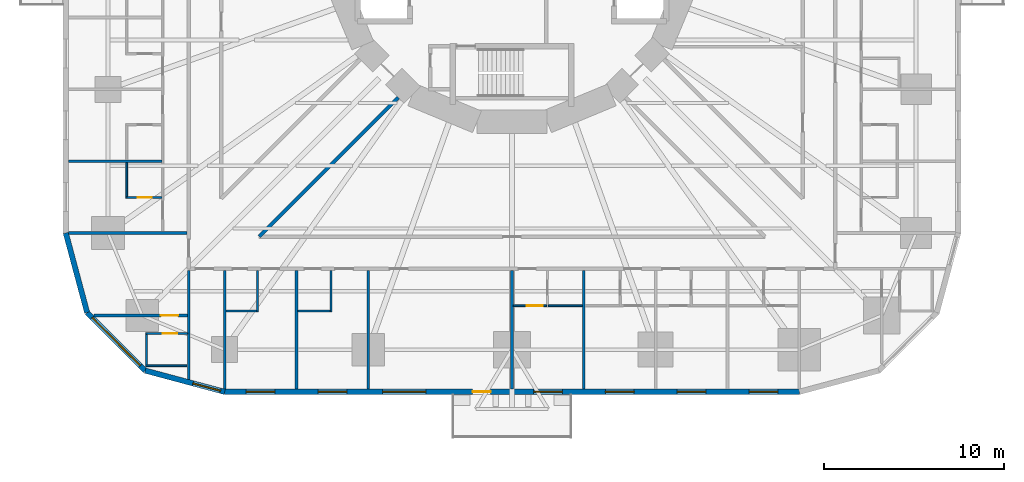
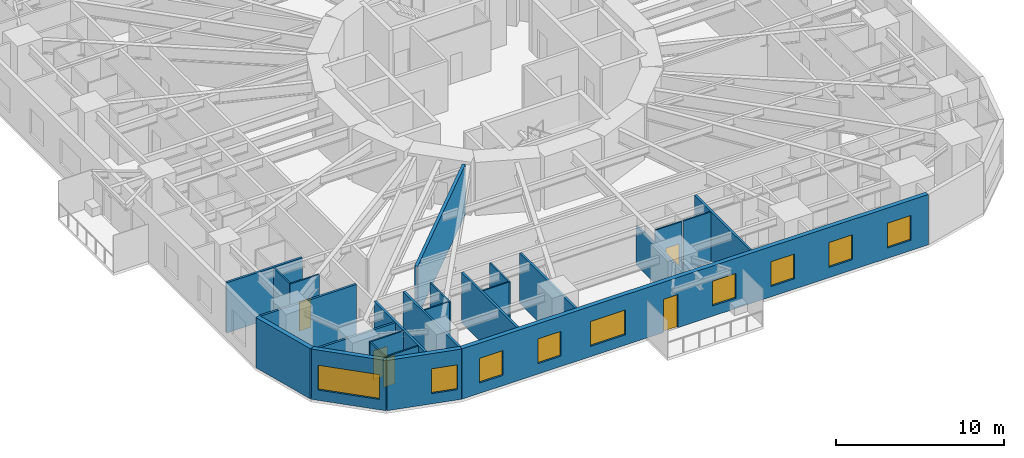
# One storey, part 4 of 14: 25 walls, 9 windows, 5 doors, 14 openings.
"""IFC4 building model written with IfcOpenShell, lengths in metres."""

from ifc_helpers import new_model, si_unit, direction, frame, frame_2d, origin, place, context, subcontext, project, spatial, rectangle, extrude, material, layer, layer_set, type_object, element, fill, save


model = new_model("IFC4")

# Units and contexts
model_context = context("Model", 3, precision=1e-05, world=origin(), true_north=direction((0.0, 1.0)))
body_context = subcontext(model_context, "Body", "Model", "MODEL_VIEW")
ifc_project = project(units=[si_unit("LENGTHUNIT", "METRE"), si_unit("AREAUNIT", "SQUARE_METRE"), si_unit("VOLUMEUNIT", "CUBIC_METRE"), si_unit("PLANEANGLEUNIT", "RADIAN"), si_unit("MASSUNIT", "GRAM", prefix="KILO")], contexts=[model_context])

# Site, building, storey
site_placement = place(None, origin())
site = spatial("IfcSite", under=ifc_project, at=site_placement, CompositionType="ELEMENT")
building_placement = place(site_placement, origin())
building = spatial("IfcBuilding", under=site, at=building_placement, Name="Nakasero Lantern House", CompositionType="ELEMENT")
storey_placement = place(building_placement, frame((0.0, 0.0, 35.25)))
storey = spatial("IfcBuildingStorey", under=building, at=storey_placement, Name="L08", CompositionType="ELEMENT", Elevation=35.25)

# Wall
ifc_material_1 = material(Name="Blockwork", Category="masonry")
ifc_layer_1 = layer(ifc_material_1, 0.199951171875)
ifc_layer_set_1 = layer_set([ifc_layer_1], Name="Corridor wall 200")
wall_type_1 = type_object("IfcWallType", Name="Corridor wall 200", PredefinedType="PARTITIONING", material=ifc_layer_set_1)
wall_1_placement = place(storey_placement, frame((-6.334228515625, -8.45556640625, 0.0), z_axis=(0.0, 0.0, 1.0), x_axis=(-0.707106781187, -0.707106781187, 0.0)))
element("IfcWall", 1, at=wall_1_placement, inside=storey, type_object=wall_type_1, Name="Corridor wall L08 PS10a", PredefinedType="PARTITIONING", context=body_context, shape_type="SweptSolid", body=[
    extrude(rectangle(XDim=10.9521484375, YDim=0.199951171875, at=frame_2d((5.47607421875, 0.0))), origin(), (0.0, 0.0, 1.0), 3.64990234375),
])

# Wall, opening, door
ifc_material_2 = material(Name="Blockwork", Category="masonry")
ifc_layer_2 = layer(ifc_material_2, 0.10009765625)
ifc_layer_set_2 = layer_set([ifc_layer_2], Name="En-suite wall 100")
wall_type_2 = type_object("IfcWallType", Name="En-suite wall 100", PredefinedType="PARTITIONING", material=ifc_layer_set_2)
wall_2_placement = place(storey_placement, frame((-19.5, -14.02490234375, 0.0), z_axis=(0.0, 0.0, 1.0), x_axis=(-1.0, 0.0, 0.0)))
wall_2 = element("IfcWall", 2, at=wall_2_placement, inside=storey, type_object=wall_type_2, Name="En-suite wall L08 ES2-08", PredefinedType="PARTITIONING", context=body_context, shape_type="SweptSolid", body=[
    extrude(rectangle(XDim=2.0, YDim=0.10009765625, at=frame_2d((1.0, 0.0))), origin(), (0.0, 0.0, 1.0), 3.64990234375),
])
opening_1_placement = place(wall_2_placement, frame((0.550048828125, 0.0, 0.0)))
opening_1 = element("IfcOpeningElement", 3, at=opening_1_placement, cuts=wall_2, Name="Opening D02", PredefinedType="OPENING", context=body_context, shape_type="SweptSolid", body=[
    extrude(rectangle(XDim=0.800048828125, YDim=2.10009765625, at=frame_2d((0.39990234375, 1.050048828125))), frame((0.0, 0.070068359375, 0.0), z_axis=(0.0, -1.0, 0.0), x_axis=(1.0, 0.0, 0.0)), (0.0, 0.0, 1.0), 0.14013671875),
])
ifc_material_3 = material(Name="Timber C24", Category="wood")
door_type_1 = type_object("IfcDoorType", Name="En-suite door 800", OperationType="SINGLE_SWING_RIGHT", PredefinedType="DOOR", material=ifc_material_3)
door_1_placement = place(opening_1_placement, origin())
door_1 = element("IfcDoor", 4, at=door_1_placement, inside=storey, type_object=door_type_1, Name="Door L08 DE2-08", OperationType="SINGLE_SWING_LEFT", OverallHeight=2.10009765625, OverallWidth=0.800048828125, PredefinedType="DOOR", context=body_context, shape_type="SweptSolid", body=[
    extrude(rectangle(XDim=0.800048828125, YDim=2.10009765625, at=frame_2d((0.39990234375, 1.050048828125))), frame((0.0, 0.02490234375, 0.0), z_axis=(0.0, -1.0, 0.0), x_axis=(1.0, 0.0, 0.0)), (0.0, 0.0, 1.0), 0.050048828125),
])
fill(opening_1, door_1)

# Wall
wall_3_placement = place(storey_placement, frame((-21.449951171875, -12.074951171875, 0.0), z_axis=(0.0, 0.0, 1.0), x_axis=(0.0, -1.0, 0.0)))
element("IfcWall", 5, at=wall_3_placement, inside=storey, type_object=wall_type_2, Name="En-suite wall L08 EE2-08", PredefinedType="PARTITIONING", context=body_context, shape_type="SweptSolid", body=[
    extrude(rectangle(XDim=1.900146484375, YDim=0.10009765625, at=frame_2d((0.9501953125, 0.0))), origin(), (0.0, 0.0, 1.0), 3.64990234375),
])

# Wall, opening, door
wall_4_placement = place(storey_placement, frame((-18.06494140625, -21.59619140625, 0.0), z_axis=(0.0, 0.0, 1.0), x_axis=(-1.0, 0.0, 0.0)))
wall_4 = element("IfcWall", 6, at=wall_4_placement, inside=storey, type_object=wall_type_2, Name="En-suite wall L08 ES2-09", PredefinedType="PARTITIONING", context=body_context, shape_type="SweptSolid", body=[
    extrude(rectangle(XDim=2.3349609375, YDim=0.10009765625, at=frame_2d((1.16748046875, 0.0))), origin(), (0.0, 0.0, 1.0), 3.64990234375),
])
opening_2_placement = place(wall_4_placement, frame((0.5849609375, 0.0, 0.0)))
opening_2 = element("IfcOpeningElement", 7, at=opening_2_placement, cuts=wall_4, Name="Opening D02", PredefinedType="OPENING", context=body_context, shape_type="SweptSolid", body=[
    extrude(rectangle(XDim=0.800048828125, YDim=2.10009765625, at=frame_2d((0.39990234375, 1.050048828125))), frame((0.0, 0.070068359375, 0.0), z_axis=(0.0, -1.0, 0.0), x_axis=(1.0, 0.0, 0.0)), (0.0, 0.0, 1.0), 0.14013671875),
])
door_2_placement = place(opening_2_placement, origin())
door_2 = element("IfcDoor", 8, at=door_2_placement, inside=storey, type_object=door_type_1, Name="Door L08 DE2-09", OperationType="SINGLE_SWING_LEFT", OverallHeight=2.10009765625, OverallWidth=0.800048828125, PredefinedType="DOOR", context=body_context, shape_type="SweptSolid", body=[
    extrude(rectangle(XDim=0.800048828125, YDim=2.10009765625, at=frame_2d((0.39990234375, 1.050048828125))), frame((0.0, 0.02490234375, 0.0), z_axis=(0.0, -1.0, 0.0), x_axis=(1.0, 0.0, 0.0)), (0.0, 0.0, 1.0), 0.050048828125),
])
fill(opening_2, door_2)

# Walls
wall_5_placement = place(storey_placement, frame((-20.35009765625, -21.646240234375, 0.0), z_axis=(0.0, 0.0, 1.0), x_axis=(0.0, -1.0, 0.0)))
element("IfcWall", 9, at=wall_5_placement, inside=storey, type_object=wall_type_2, Name="En-suite wall L08 EE2-09", PredefinedType="PARTITIONING", context=body_context, shape_type="SweptSolid", body=[
    extrude(rectangle(XDim=1.699951171875, YDim=0.10009765625, at=frame_2d((0.85009765625, 0.0))), origin(), (0.0, 0.0, 1.0), 3.64990234375),
])
for number, where, z_axis, x_axis, name in (
    (10, (-18.10009765625, -23.396240234375, 0.0), (0.0, 0.0, 1.0), (-1.0, 0.0, 0.0), "En-suite wall L08 EV2-09"),
    (11, (-14.175048828125, -18.10009765625, 0.0), (0.0, 0.0, 1.0), (0.0, -1.0, 0.0), "En-suite wall L08 ES3-01"),
):
    element("IfcWall", number, at=place(storey_placement, frame(where, z_axis=z_axis, x_axis=x_axis)), inside=storey, type_object=wall_type_2, Name=name, PredefinedType="PARTITIONING", context=body_context, shape_type="SweptSolid", body=[
        extrude(rectangle(XDim=2.2998046875, YDim=0.10009765625, at=frame_2d((1.14990234375, 0.0))), origin(), (0.0, 0.0, 1.0), 3.64990234375),
    ])
wall_6_placement = place(storey_placement, frame((-15.925048828125, -20.35009765625, 0.0), z_axis=(0.0, 0.0, 1.0), x_axis=(1.0, 0.0, 0.0)))
element("IfcWall", 12, at=wall_6_placement, inside=storey, type_object=wall_type_2, Name="En-suite wall L08 EE3-01", PredefinedType="PARTITIONING", context=body_context, shape_type="SweptSolid", body=[
    extrude(rectangle(XDim=1.699951171875, YDim=0.10009765625, at=frame_2d((0.85009765625, 0.0))), origin(), (0.0, 0.0, 1.0), 3.64990234375),
])
wall_7_placement = place(storey_placement, frame((-10.074951171875, -18.10009765625, 0.0), z_axis=(0.0, 0.0, 1.0), x_axis=(0.0, -1.0, 0.0)))
element("IfcWall", 13, at=wall_7_placement, inside=storey, type_object=wall_type_2, Name="En-suite wall L08 ES3-02", PredefinedType="PARTITIONING", context=body_context, shape_type="SweptSolid", body=[
    extrude(rectangle(XDim=2.2998046875, YDim=0.10009765625, at=frame_2d((1.14990234375, 0.0))), origin(), (0.0, 0.0, 1.0), 3.64990234375),
])
wall_8_placement = place(storey_placement, frame((-11.925048828125, -20.35009765625, 0.0), z_axis=(0.0, 0.0, 1.0), x_axis=(1.0, 0.0, 0.0)))
element("IfcWall", 14, at=wall_8_placement, inside=storey, type_object=wall_type_2, Name="En-suite wall L08 EE3-02", PredefinedType="PARTITIONING", context=body_context, shape_type="SweptSolid", body=[
    extrude(rectangle(XDim=1.800048828125, YDim=0.10009765625, at=frame_2d((0.89990234375, 0.0))), origin(), (0.0, 0.0, 1.0), 3.64990234375),
])
wall_9_placement = place(storey_placement, frame((2.02490234375, -20.050048828125, 0.0), z_axis=(0.0, 0.0, 1.0), x_axis=(1.0, 0.0, 0.0)))
element("IfcWall", 15, at=wall_9_placement, inside=storey, type_object=wall_type_2, Name="En-suite wall L08 EE3-05", PredefinedType="PARTITIONING", context=body_context, shape_type="SweptSolid", body=[
    extrude(rectangle(XDim=1.900146484375, YDim=0.10009765625, at=frame_2d((0.9501953125, 0.0))), origin(), (0.0, 0.0, 1.0), 3.64990234375),
])

# Wall, opening, door
wall_10_placement = place(storey_placement, frame((0.074951171875, -20.050048828125, 0.0), z_axis=(0.0, 0.0, 1.0), x_axis=(1.0, 0.0, 0.0)))
wall_10 = element("IfcWall", 16, at=wall_10_placement, inside=storey, type_object=wall_type_2, Name="En-suite wall L08 EL3-05", PredefinedType="PARTITIONING", context=body_context, shape_type="SweptSolid", body=[
    extrude(rectangle(XDim=1.85009765625, YDim=0.10009765625, at=frame_2d((0.925048828125, 0.0))), origin(), (0.0, 0.0, 1.0), 3.64990234375),
])
opening_3_placement = place(wall_10_placement, frame((0.75, 0.0, 0.0)))
opening_3 = element("IfcOpeningElement", 17, at=opening_3_placement, cuts=wall_10, Name="Opening D17", PredefinedType="OPENING", context=body_context, shape_type="SweptSolid", body=[
    extrude(rectangle(XDim=0.89990234375, YDim=2.10009765625, at=frame_2d((0.449951171875, 1.050048828125))), frame((0.0, 0.070068359375, 0.0), z_axis=(0.0, -1.0, 0.0), x_axis=(1.0, 0.0, 0.0)), (0.0, 0.0, 1.0), 0.14013671875),
])
ifc_material_4 = material(Name="Timber C24", Category="wood")
door_type_2 = type_object("IfcDoorType", Name="Bedroom door FD30S 900", OperationType="SINGLE_SWING_LEFT", PredefinedType="DOOR", material=ifc_material_4)
door_3_placement = place(opening_3_placement, origin())
door_3 = element("IfcDoor", 18, at=door_3_placement, inside=storey, type_object=door_type_2, Name="Door L08 DL3-05", OperationType="SINGLE_SWING_RIGHT", OverallHeight=2.10009765625, OverallWidth=0.89990234375, PredefinedType="DOOR", context=body_context, shape_type="SweptSolid", body=[
    extrude(rectangle(XDim=0.89990234375, YDim=2.10009765625, at=frame_2d((0.449951171875, 1.050048828125))), frame((0.0, 0.02490234375, 0.0), z_axis=(0.0, -1.0, 0.0), x_axis=(1.0, 0.0, 0.0)), (0.0, 0.0, 1.0), 0.050048828125),
])
fill(opening_3, door_3)

# Wall
ifc_material_5 = material(Name="Aluminium rainscreen on blockwork", Category="masonry")
ifc_layer_3 = layer(ifc_material_5, 0.300048828125)
ifc_layer_set_3 = layer_set([ifc_layer_3], Name="Facade wall 300")
wall_type_3 = type_object("IfcWallType", Name="Facade wall 300", PredefinedType="SOLIDWALL", material=ifc_layer_set_3)
wall_11_placement = place(storey_placement, frame((-24.85009765625, -16.0, 0.0), z_axis=(0.0, 0.0, 1.0), x_axis=(0.258839972501, -0.965920218567, 0.0)))
element("IfcWall", 19, at=wall_11_placement, inside=storey, type_object=wall_type_3, Name="Facade wall L08 FW2C1", PredefinedType="SOLIDWALL", context=body_context, shape_type="SweptSolid", body=[
    extrude(rectangle(XDim=4.5810546875, YDim=0.300048828125, at=frame_2d((2.29052734375, 0.0))), origin(), (0.0, 0.0, 1.0), 3.64990234375),
])

# Wall, opening, window
wall_12_placement = place(storey_placement, frame((-23.664306640625, -20.425048828125, 0.0), z_axis=(0.0, 0.0, 1.0), x_axis=(0.707106781187, -0.707106781187, 0.0)))
wall_12 = element("IfcWall", 20, at=wall_12_placement, inside=storey, type_object=wall_type_3, Name="Facade wall L08 FW2C2", PredefinedType="SOLIDWALL", context=body_context, shape_type="SweptSolid", body=[
    extrude(rectangle(XDim=4.5810546875, YDim=0.300048828125, at=frame_2d((2.29052734375, 0.0))), origin(), (0.0, 0.0, 1.0), 3.64990234375),
])
opening_4_placement = place(wall_12_placement, frame((0.39990234375, 0.0, 0.75)))
opening_4 = element("IfcOpeningElement", 21, at=opening_4_placement, cuts=wall_12, Name="Opening W237", PredefinedType="OPENING", context=body_context, shape_type="SweptSolid", body=[
    extrude(rectangle(XDim=3.781005859375, YDim=1.800048828125, at=frame_2d((1.890625, 0.89990234375))), frame((0.0, 0.169921875, 0.0), z_axis=(0.0, -1.0, 0.0), x_axis=(1.0, 0.0, 0.0)), (0.0, 0.0, 1.0), 0.340087890625),
])
ifc_material_6 = material(Name="Aluminium 6063-T6 and glass", Category="aluminium")
window_type_1 = type_object("IfcWindowType", Name="Corner window 3781x1800", PartitioningType="SINGLE_PANEL", PredefinedType="WINDOW", material=ifc_material_6)
window_1_placement = place(opening_4_placement, origin())
window_1 = element("IfcWindow", 22, at=window_1_placement, inside=storey, type_object=window_type_1, Name="Window L08 WC2", OverallHeight=1.800048828125, OverallWidth=3.781005859375, PartitioningType="SINGLE_PANEL", PredefinedType="WINDOW", context=body_context, shape_type="SweptSolid", body=[
    extrude(rectangle(XDim=3.781005859375, YDim=1.800048828125, at=frame_2d((1.890625, 0.89990234375))), frame((0.0, 0.030029296875, 0.0), z_axis=(0.0, -1.0, 0.0), x_axis=(1.0, 0.0, 0.0)), (0.0, 0.0, 1.0), 0.06005859375),
])
fill(opening_4, window_1)

wall_13_placement = place(storey_placement, frame((-20.425048828125, -23.664306640625, 0.0), z_axis=(0.0, 0.0, 1.0), x_axis=(0.965920218567, -0.258839972501, 0.0)))
wall_13 = element("IfcWall", 23, at=wall_13_placement, inside=storey, type_object=wall_type_3, Name="Facade wall L08 FW2C3", PredefinedType="SOLIDWALL", context=body_context, shape_type="SweptSolid", body=[
    extrude(rectangle(XDim=4.5810546875, YDim=0.300048828125, at=frame_2d((2.29052734375, 0.0))), origin(), (0.0, 0.0, 1.0), 3.64990234375),
])
opening_5_placement = place(wall_13_placement, frame((2.74609375, 0.0, 0.75)))
opening_5 = element("IfcOpeningElement", 24, at=opening_5_placement, cuts=wall_13, Name="Opening W01", PredefinedType="OPENING", context=body_context, shape_type="SweptSolid", body=[
    extrude(rectangle(XDim=1.60009765625, YDim=1.800048828125, at=frame_2d((0.800048828125, 0.89990234375))), frame((0.0, 0.169921875, 0.0), z_axis=(0.0, -1.0, 0.0), x_axis=(1.0, 0.0, 0.0)), (0.0, 0.0, 1.0), 0.340087890625),
])
ifc_material_7 = material(Name="Aluminium 6063-T6 and glass", Category="aluminium")
window_type_2 = type_object("IfcWindowType", Name="Bedroom window 1600x1800", PartitioningType="SINGLE_PANEL", PredefinedType="WINDOW", material=ifc_material_7)
window_2_placement = place(opening_5_placement, origin())
window_2 = element("IfcWindow", 25, at=window_2_placement, inside=storey, type_object=window_type_2, Name="Window L08 WN3-00", OverallHeight=1.800048828125, OverallWidth=1.60009765625, PartitioningType="SINGLE_PANEL", PredefinedType="WINDOW", context=body_context, shape_type="SweptSolid", body=[
    extrude(rectangle(XDim=1.60009765625, YDim=1.800048828125, at=frame_2d((0.800048828125, 0.89990234375))), frame((0.0, 0.030029296875, 0.0), z_axis=(0.0, -1.0, 0.0), x_axis=(1.0, 0.0, 0.0)), (0.0, 0.0, 1.0), 0.06005859375),
])
fill(opening_5, window_2)

# Wall, openings, door, windows
wall_14_placement = place(storey_placement, frame((-16.0, -24.85009765625, 0.0), z_axis=(0.0, 0.0, 1.0), x_axis=(1.0, 0.0, 0.0)))
wall_14 = element("IfcWall", 26, at=wall_14_placement, inside=storey, type_object=wall_type_3, Name="Facade wall L08 FW3S", PredefinedType="SOLIDWALL", context=body_context, shape_type="SweptSolid", body=[
    extrude(rectangle(XDim=32.0, YDim=0.300048828125, at=frame_2d((16.0, 0.0))), origin(), (0.0, 0.0, 1.0), 3.64990234375),
])
opening_6_placement = place(wall_14_placement, frame((1.199951171875, 0.0, 0.75)))
opening_6 = element("IfcOpeningElement", 27, at=opening_6_placement, cuts=wall_14, Name="Opening W01", PredefinedType="OPENING", context=body_context, shape_type="SweptSolid", body=[
    extrude(rectangle(XDim=1.60009765625, YDim=1.800048828125, at=frame_2d((0.800048828125, 0.89990234375))), frame((0.0, 0.169921875, 0.0), z_axis=(0.0, -1.0, 0.0), x_axis=(1.0, 0.0, 0.0)), (0.0, 0.0, 1.0), 0.340087890625),
])
opening_7_placement = place(wall_14_placement, frame((5.199951171875, 0.0, 0.75)))
opening_7 = element("IfcOpeningElement", 28, at=opening_7_placement, cuts=wall_14, Name="Opening W01", PredefinedType="OPENING", context=body_context, shape_type="SweptSolid", body=[
    extrude(rectangle(XDim=1.60009765625, YDim=1.800048828125, at=frame_2d((0.800048828125, 0.89990234375))), frame((0.0, 0.169921875, 0.0), z_axis=(0.0, -1.0, 0.0), x_axis=(1.0, 0.0, 0.0)), (0.0, 0.0, 1.0), 0.340087890625),
])
opening_8_placement = place(wall_14_placement, frame((17.199951171875, 0.0, 0.75)))
opening_8 = element("IfcOpeningElement", 29, at=opening_8_placement, cuts=wall_14, Name="Opening W01", PredefinedType="OPENING", context=body_context, shape_type="SweptSolid", body=[
    extrude(rectangle(XDim=1.60009765625, YDim=1.800048828125, at=frame_2d((0.800048828125, 0.89990234375))), frame((0.0, 0.169921875, 0.0), z_axis=(0.0, -1.0, 0.0), x_axis=(1.0, 0.0, 0.0)), (0.0, 0.0, 1.0), 0.340087890625),
])
opening_9_placement = place(wall_14_placement, frame((21.199951171875, 0.0, 0.75)))
opening_9 = element("IfcOpeningElement", 30, at=opening_9_placement, cuts=wall_14, Name="Opening W01", PredefinedType="OPENING", context=body_context, shape_type="SweptSolid", body=[
    extrude(rectangle(XDim=1.60009765625, YDim=1.800048828125, at=frame_2d((0.800048828125, 0.89990234375))), frame((0.0, 0.169921875, 0.0), z_axis=(0.0, -1.0, 0.0), x_axis=(1.0, 0.0, 0.0)), (0.0, 0.0, 1.0), 0.340087890625),
])
opening_10_placement = place(wall_14_placement, frame((25.199951171875, 0.0, 0.75)))
opening_10 = element("IfcOpeningElement", 31, at=opening_10_placement, cuts=wall_14, Name="Opening W01", PredefinedType="OPENING", context=body_context, shape_type="SweptSolid", body=[
    extrude(rectangle(XDim=1.60009765625, YDim=1.800048828125, at=frame_2d((0.800048828125, 0.89990234375))), frame((0.0, 0.169921875, 0.0), z_axis=(0.0, -1.0, 0.0), x_axis=(1.0, 0.0, 0.0)), (0.0, 0.0, 1.0), 0.340087890625),
])
opening_11_placement = place(wall_14_placement, frame((29.199951171875, 0.0, 0.75)))
opening_11 = element("IfcOpeningElement", 32, at=opening_11_placement, cuts=wall_14, Name="Opening W01", PredefinedType="OPENING", context=body_context, shape_type="SweptSolid", body=[
    extrude(rectangle(XDim=1.60009765625, YDim=1.800048828125, at=frame_2d((0.800048828125, 0.89990234375))), frame((0.0, 0.169921875, 0.0), z_axis=(0.0, -1.0, 0.0), x_axis=(1.0, 0.0, 0.0)), (0.0, 0.0, 1.0), 0.340087890625),
])
opening_12_placement = place(wall_14_placement, frame((8.800048828125, 0.0, 0.75)))
opening_12 = element("IfcOpeningElement", 33, at=opening_12_placement, cuts=wall_14, Name="Opening W03", PredefinedType="OPENING", context=body_context, shape_type="SweptSolid", body=[
    extrude(rectangle(XDim=2.39990234375, YDim=1.800048828125, at=frame_2d((1.199951171875, 0.89990234375))), frame((0.0, 0.169921875, 0.0), z_axis=(0.0, -1.0, 0.0), x_axis=(1.0, 0.0, 0.0)), (0.0, 0.0, 1.0), 0.340087890625),
])
opening_13_placement = place(wall_14_placement, frame((13.8125, 0.0, 0.0)))
opening_13 = element("IfcOpeningElement", 34, at=opening_13_placement, cuts=wall_14, Name="Opening D04", PredefinedType="OPENING", context=body_context, shape_type="SweptSolid", body=[
    extrude(rectangle(XDim=1.0, YDim=2.39990234375, at=frame_2d((0.5, 1.199951171875))), frame((0.0, 0.169921875, 0.0), z_axis=(0.0, -1.0, 0.0), x_axis=(1.0, 0.0, 0.0)), (0.0, 0.0, 1.0), 0.340087890625),
])
ifc_material_8 = material(Name="Aluminium 6063-T6 and glass", Category="aluminium")
door_type_3 = type_object("IfcDoorType", Name="Balcony door 1000x2400", OperationType="SINGLE_SWING_RIGHT", PredefinedType="DOOR", material=ifc_material_8)
door_4_placement = place(opening_13_placement, origin())
door_4 = element("IfcDoor", 35, at=door_4_placement, inside=storey, type_object=door_type_3, Name="Balcony door L08 DB3", OperationType="SINGLE_SWING_RIGHT", OverallHeight=2.39990234375, OverallWidth=1.0, PredefinedType="DOOR", context=body_context, shape_type="SweptSolid", body=[
    extrude(rectangle(XDim=1.0, YDim=2.39990234375, at=frame_2d((0.5, 1.199951171875))), frame((0.0, 0.02490234375, 0.0), z_axis=(0.0, -1.0, 0.0), x_axis=(1.0, 0.0, 0.0)), (0.0, 0.0, 1.0), 0.050048828125),
])
fill(opening_13, door_4)
window_3_placement = place(opening_6_placement, origin())
window_3 = element("IfcWindow", 36, at=window_3_placement, inside=storey, type_object=window_type_2, Name="Window L08 WN3-01", OverallHeight=1.800048828125, OverallWidth=1.60009765625, PartitioningType="SINGLE_PANEL", PredefinedType="WINDOW", context=body_context, shape_type="SweptSolid", body=[
    extrude(rectangle(XDim=1.60009765625, YDim=1.800048828125, at=frame_2d((0.800048828125, 0.89990234375))), frame((0.0, 0.030029296875, 0.0), z_axis=(0.0, -1.0, 0.0), x_axis=(1.0, 0.0, 0.0)), (0.0, 0.0, 1.0), 0.06005859375),
])
fill(opening_6, window_3)
window_4_placement = place(opening_7_placement, origin())
window_4 = element("IfcWindow", 37, at=window_4_placement, inside=storey, type_object=window_type_2, Name="Window L08 WN3-02", OverallHeight=1.800048828125, OverallWidth=1.60009765625, PartitioningType="SINGLE_PANEL", PredefinedType="WINDOW", context=body_context, shape_type="SweptSolid", body=[
    extrude(rectangle(XDim=1.60009765625, YDim=1.800048828125, at=frame_2d((0.800048828125, 0.89990234375))), frame((0.0, 0.030029296875, 0.0), z_axis=(0.0, -1.0, 0.0), x_axis=(1.0, 0.0, 0.0)), (0.0, 0.0, 1.0), 0.06005859375),
])
fill(opening_7, window_4)
window_5_placement = place(opening_8_placement, origin())
window_5 = element("IfcWindow", 38, at=window_5_placement, inside=storey, type_object=window_type_2, Name="Window L08 WN3-05", OverallHeight=1.800048828125, OverallWidth=1.60009765625, PartitioningType="SINGLE_PANEL", PredefinedType="WINDOW", context=body_context, shape_type="SweptSolid", body=[
    extrude(rectangle(XDim=1.60009765625, YDim=1.800048828125, at=frame_2d((0.800048828125, 0.89990234375))), frame((0.0, 0.030029296875, 0.0), z_axis=(0.0, -1.0, 0.0), x_axis=(1.0, 0.0, 0.0)), (0.0, 0.0, 1.0), 0.06005859375),
])
fill(opening_8, window_5)
window_6_placement = place(opening_9_placement, origin())
window_6 = element("IfcWindow", 39, at=window_6_placement, inside=storey, type_object=window_type_2, Name="Window L08 WN3-06", OverallHeight=1.800048828125, OverallWidth=1.60009765625, PartitioningType="SINGLE_PANEL", PredefinedType="WINDOW", context=body_context, shape_type="SweptSolid", body=[
    extrude(rectangle(XDim=1.60009765625, YDim=1.800048828125, at=frame_2d((0.800048828125, 0.89990234375))), frame((0.0, 0.030029296875, 0.0), z_axis=(0.0, -1.0, 0.0), x_axis=(1.0, 0.0, 0.0)), (0.0, 0.0, 1.0), 0.06005859375),
])
fill(opening_9, window_6)
window_7_placement = place(opening_10_placement, origin())
window_7 = element("IfcWindow", 40, at=window_7_placement, inside=storey, type_object=window_type_2, Name="Window L08 WN3-07", OverallHeight=1.800048828125, OverallWidth=1.60009765625, PartitioningType="SINGLE_PANEL", PredefinedType="WINDOW", context=body_context, shape_type="SweptSolid", body=[
    extrude(rectangle(XDim=1.60009765625, YDim=1.800048828125, at=frame_2d((0.800048828125, 0.89990234375))), frame((0.0, 0.030029296875, 0.0), z_axis=(0.0, -1.0, 0.0), x_axis=(1.0, 0.0, 0.0)), (0.0, 0.0, 1.0), 0.06005859375),
])
fill(opening_10, window_7)
window_8_placement = place(opening_11_placement, origin())
window_8 = element("IfcWindow", 41, at=window_8_placement, inside=storey, type_object=window_type_2, Name="Window L08 WN3-08", OverallHeight=1.800048828125, OverallWidth=1.60009765625, PartitioningType="SINGLE_PANEL", PredefinedType="WINDOW", context=body_context, shape_type="SweptSolid", body=[
    extrude(rectangle(XDim=1.60009765625, YDim=1.800048828125, at=frame_2d((0.800048828125, 0.89990234375))), frame((0.0, 0.030029296875, 0.0), z_axis=(0.0, -1.0, 0.0), x_axis=(1.0, 0.0, 0.0)), (0.0, 0.0, 1.0), 0.06005859375),
])
fill(opening_11, window_8)
ifc_material_9 = material(Name="Aluminium 6063-T6 and glass", Category="aluminium")
window_type_3 = type_object("IfcWindowType", Name="Lounge window 2400x1800", PartitioningType="SINGLE_PANEL", PredefinedType="WINDOW", material=ifc_material_9)
window_9_placement = place(opening_12_placement, origin())
window_9 = element("IfcWindow", 42, at=window_9_placement, inside=storey, type_object=window_type_3, Name="Window L08 WK3", OverallHeight=1.800048828125, OverallWidth=2.39990234375, PartitioningType="SINGLE_PANEL", PredefinedType="WINDOW", context=body_context, shape_type="SweptSolid", body=[
    extrude(rectangle(XDim=2.39990234375, YDim=1.800048828125, at=frame_2d((1.199951171875, 0.89990234375))), frame((0.0, 0.030029296875, 0.0), z_axis=(0.0, -1.0, 0.0), x_axis=(1.0, 0.0, 0.0)), (0.0, 0.0, 1.0), 0.06005859375),
])
fill(opening_12, window_9)

# Walls
ifc_material_10 = material(Name="Blockwork", Category="masonry")
ifc_layer_4 = layer(ifc_material_10, 0.14990234375)
ifc_layer_set_4 = layer_set([ifc_layer_4], Name="Party wall 150")
wall_type_4 = type_object("IfcWallType", Name="Party wall 150", PredefinedType="PARTITIONING", material=ifc_layer_set_4)
wall_15_placement = place(storey_placement, frame((-19.5, -12.0, 0.0), z_axis=(0.0, 0.0, 1.0), x_axis=(-1.0, 0.0, 0.0)))
element("IfcWall", 43, at=wall_15_placement, inside=storey, type_object=wall_type_4, Name="Party wall L08 PW2-08", PredefinedType="PARTITIONING", context=body_context, shape_type="SweptSolid", body=[
    extrude(rectangle(XDim=5.199951171875, YDim=0.14990234375, at=frame_2d((2.60009765625, 0.0))), origin(), (0.0, 0.0, 1.0), 3.64990234375),
])
wall_16_placement = place(storey_placement, frame((-18.10009765625, -16.0, 0.0), z_axis=(0.0, 0.0, 1.0), x_axis=(-1.0, 0.0, 0.0)))
element("IfcWall", 44, at=wall_16_placement, inside=storey, type_object=wall_type_4, Name="Party wall L08 PW2-09", PredefinedType="PARTITIONING", context=body_context, shape_type="SweptSolid", body=[
    extrude(rectangle(XDim=6.58935546875, YDim=0.14990234375, at=frame_2d((3.294677734375, 0.0))), origin(), (0.0, 0.0, 1.0), 3.64990234375),
])

# Wall, opening, door
wall_17_placement = place(storey_placement, frame((-18.06494140625, -20.59619140625, 0.0), z_axis=(0.0, 0.0, 1.0), x_axis=(-1.0, 0.0, 0.0)))
wall_17 = element("IfcWall", 45, at=wall_17_placement, inside=storey, type_object=wall_type_4, Name="Party wall L08 PC2", PredefinedType="PARTITIONING", context=body_context, shape_type="SweptSolid", body=[
    extrude(rectangle(XDim=5.208740234375, YDim=0.14990234375, at=frame_2d((2.6044921875, 0.0))), origin(), (0.0, 0.0, 1.0), 3.64990234375),
])
opening_14_placement = place(wall_17_placement, frame((0.534912109375, 0.0, 0.0)))
opening_14 = element("IfcOpeningElement", 46, at=opening_14_placement, cuts=wall_17, Name="Opening D01", PredefinedType="OPENING", context=body_context, shape_type="SweptSolid", body=[
    extrude(rectangle(XDim=0.949951171875, YDim=2.10009765625, at=frame_2d((0.47509765625, 1.050048828125))), frame((0.0, 0.094970703125, 0.0), z_axis=(0.0, -1.0, 0.0), x_axis=(1.0, 0.0, 0.0)), (0.0, 0.0, 1.0), 0.18994140625),
])
ifc_material_11 = material(Name="Timber C24", Category="wood")
door_type_4 = type_object("IfcDoorType", Name="Bedroom door FD30S 950", OperationType="SINGLE_SWING_LEFT", PredefinedType="DOOR", material=ifc_material_11)
door_5_placement = place(opening_14_placement, origin())
door_5 = element("IfcDoor", 47, at=door_5_placement, inside=storey, type_object=door_type_4, Name="Door L08 DC2", OperationType="SINGLE_SWING_LEFT", OverallHeight=2.10009765625, OverallWidth=0.949951171875, PredefinedType="DOOR", context=body_context, shape_type="SweptSolid", body=[
    extrude(rectangle(XDim=0.949951171875, YDim=2.10009765625, at=frame_2d((0.47509765625, 1.050048828125))), frame((0.0, 0.02490234375, 0.0), z_axis=(0.0, -1.0, 0.0), x_axis=(1.0, 0.0, 0.0)), (0.0, 0.0, 1.0), 0.050048828125),
])
fill(opening_14, door_5)

# Walls
wall_18_placement = place(storey_placement, frame((-18.0, -18.10009765625, 0.0), z_axis=(0.0, 0.0, 1.0), x_axis=(0.0, -1.0, 0.0)))
element("IfcWall", 48, at=wall_18_placement, inside=storey, type_object=wall_type_4, Name="Party wall L08 PW3-00", PredefinedType="PARTITIONING", context=body_context, shape_type="SweptSolid", body=[
    extrude(rectangle(XDim=6.053466796875, YDim=0.14990234375, at=frame_2d((3.02685546875, 0.0))), origin(), (0.0, 0.0, 1.0), 3.64990234375),
])
wall_19_placement = place(storey_placement, frame((-16.0, -18.10009765625, 0.0), z_axis=(0.0, 0.0, 1.0), x_axis=(0.0, -1.0, 0.0)))
element("IfcWall", 49, at=wall_19_placement, inside=storey, type_object=wall_type_4, Name="Party wall L08 PW3-01", PredefinedType="PARTITIONING", context=body_context, shape_type="SweptSolid", body=[
    extrude(rectangle(XDim=6.58935546875, YDim=0.14990234375, at=frame_2d((3.294677734375, 0.0))), origin(), (0.0, 0.0, 1.0), 3.64990234375),
])
for number, where, z_axis, x_axis, name in (
    (50, (-12.0, -18.10009765625, 0.0), (0.0, 0.0, 1.0), (0.0, -1.0, 0.0), "Party wall L08 PW3-02"),
    (51, (-8.0, -18.10009765625, 0.0), (0.0, 0.0, 1.0), (0.0, -1.0, 0.0), "Party wall L08 PW3-03"),
):
    element("IfcWall", number, at=place(storey_placement, frame(where, z_axis=z_axis, x_axis=x_axis)), inside=storey, type_object=wall_type_4, Name=name, PredefinedType="PARTITIONING", context=body_context, shape_type="SweptSolid", body=[
        extrude(rectangle(XDim=6.599853515625, YDim=0.14990234375, at=frame_2d((3.2998046875, 0.0))), origin(), (0.0, 0.0, 1.0), 3.64990234375),
    ])
wall_20_placement = place(storey_placement, frame((0.0, -18.10009765625, 0.0), z_axis=(0.0, 0.0, 1.0), x_axis=(0.0, -1.0, 0.0)))
element("IfcWall", 52, at=wall_20_placement, inside=storey, type_object=wall_type_4, Name="Party wall L08 PW3-05", PredefinedType="PARTITIONING", context=body_context, shape_type="SweptSolid", body=[
    extrude(rectangle(XDim=6.599853515625, YDim=0.14990234375, at=frame_2d((3.2998046875, 0.0))), origin(), (0.0, 0.0, 1.0), 2.809326171875),
])
wall_21_placement = place(storey_placement, frame((4.0, -18.10009765625, 0.0), z_axis=(0.0, 0.0, 1.0), x_axis=(0.0, -1.0, 0.0)))
element("IfcWall", 53, at=wall_21_placement, inside=storey, type_object=wall_type_4, Name="Party wall L08 PW3-06", PredefinedType="PARTITIONING", context=body_context, shape_type="SweptSolid", body=[
    extrude(rectangle(XDim=6.599853515625, YDim=0.14990234375, at=frame_2d((3.2998046875, 0.0))), origin(), (0.0, 0.0, 1.0), 3.64990234375),
])

save(model, "model.ifc")
